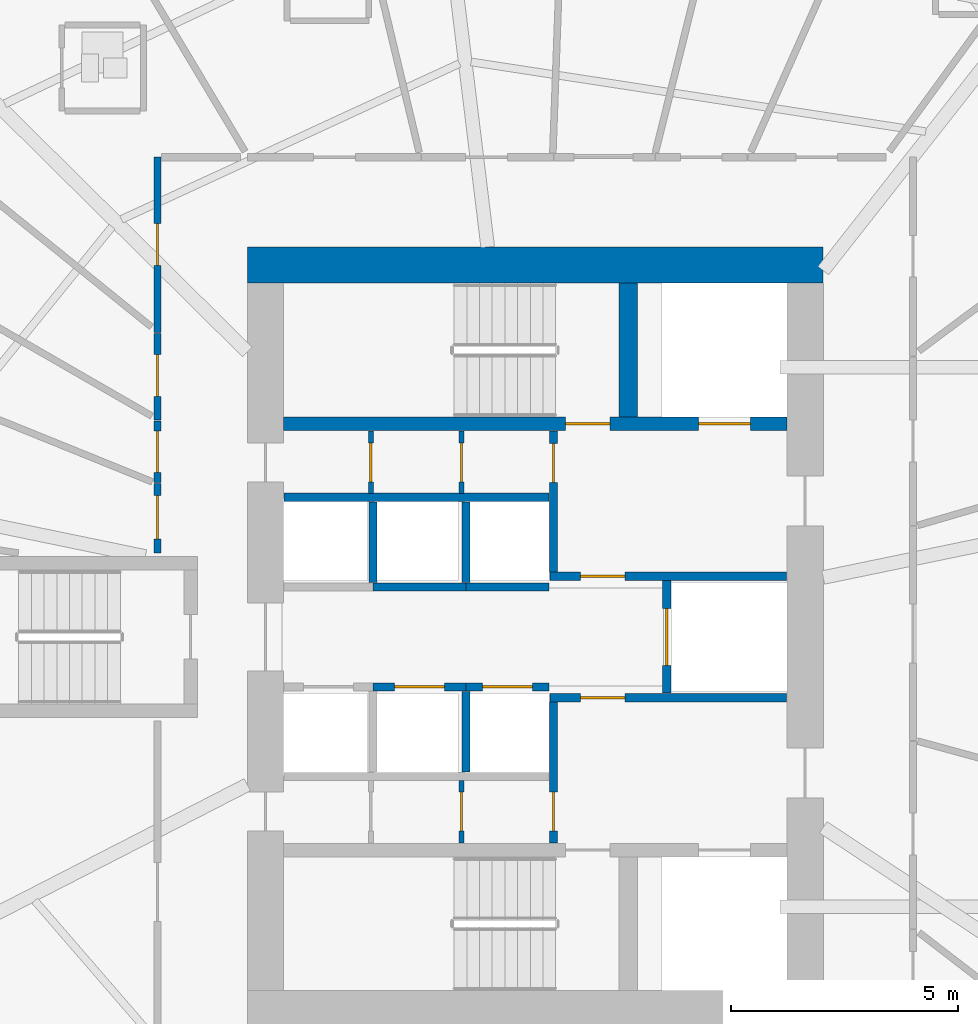
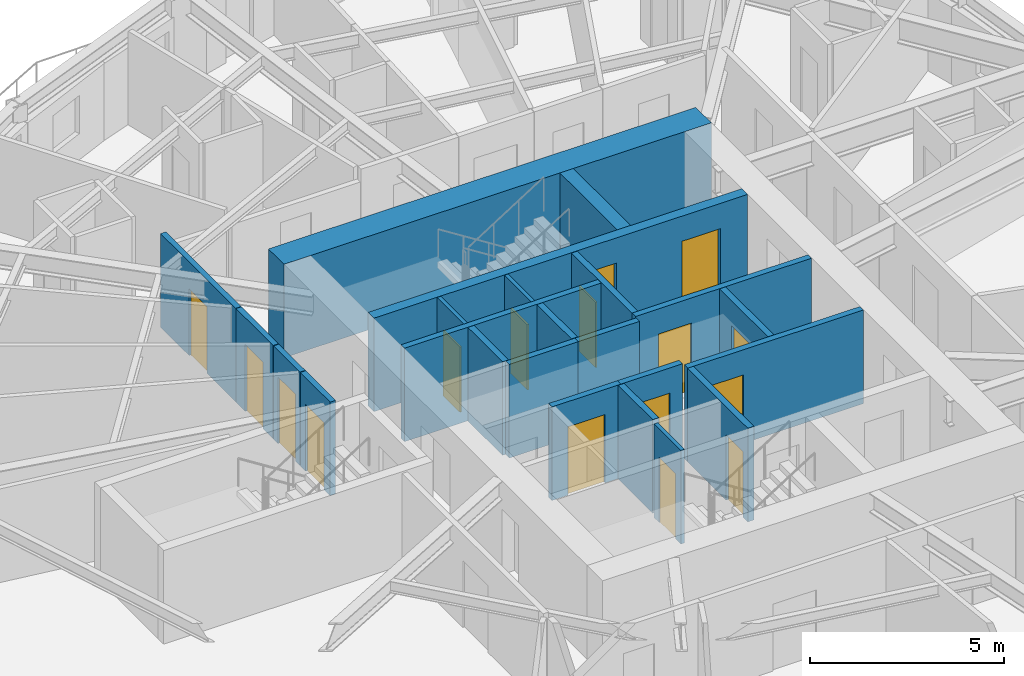
# One storey, part 6 of 16: 23 walls, 16 doors, 16 openings.
"""IFC4 building model written with IfcOpenShell, lengths in metres."""

from ifc_helpers import new_model, si_unit, direction, frame, frame_2d, origin, place, context, subcontext, project, spatial, rectangle, extrude, source, transform, mapped, material, layer, layer_set, type_object, element, fill, save


model = new_model("IFC4")

# Units and contexts
model_context = context("Model", 3, precision=1e-05, world=origin(), true_north=direction((0.0, 1.0)))
body_context = subcontext(model_context, "Body", "Model", "MODEL_VIEW")
ifc_project = project(units=[si_unit("LENGTHUNIT", "METRE"), si_unit("AREAUNIT", "SQUARE_METRE"), si_unit("VOLUMEUNIT", "CUBIC_METRE"), si_unit("PLANEANGLEUNIT", "RADIAN"), si_unit("MASSUNIT", "GRAM", prefix="KILO")], contexts=[model_context])

# Site, building, storey
site_placement = place(None, origin())
site = spatial("IfcSite", under=ifc_project, at=site_placement, CompositionType="ELEMENT")
building_placement = place(site_placement, origin())
building = spatial("IfcBuilding", under=site, at=building_placement, Name="Qafzar Sky-Pleat Residences", CompositionType="ELEMENT")
storey_placement = place(building_placement, frame((0.0, 0.0, 33.39990234375)))
storey = spatial("IfcBuildingStorey", under=building, at=storey_placement, Name="L09", CompositionType="ELEMENT", Elevation=33.39990234375)

# Wall, opening, door
ifc_material_1 = material(Name="Acoustic gypsum plasterboard partition", Category="gypsum")
ifc_layer_1 = layer(ifc_material_1, 0.159912109375)
ifc_layer_set_1 = layer_set([ifc_layer_1], Name="Acoustic gypsum plasterboard partition")
wall_type_1 = type_object("IfcWallType", Name="PART-COR-160", PredefinedType="PARTITIONING", material=ifc_layer_set_1)
wall_1_placement = place(storey_placement, frame((22.02001953125, 32.7099609375, 0.0), z_axis=(0.0, 0.0, 1.0), x_axis=(0.0, 1.0, 0.0)))
wall_1 = element("IfcWall", 1, at=wall_1_placement, inside=storey, type_object=wall_type_1, Name="L09 Partition Wall PART-L09-PW-007", PredefinedType="PARTITIONING", context=body_context, shape_type="SweptSolid", body=[
    extrude(rectangle(XDim=3.8701171875, YDim=0.159912109375, at=frame_2d((1.93505859375, 0.0))), origin(), (0.0, 0.0, 1.0), 2.940185546875),
])
opening_1_placement = place(wall_1_placement, frame((1.484619140625, 0.0, 0.0)))
opening_1 = element("IfcOpeningElement", 2, at=opening_1_placement, cuts=wall_1, Name="Opening ID-04", PredefinedType="OPENING", context=body_context, shape_type="SweptSolid", body=[
    extrude(rectangle(XDim=0.919921875, YDim=2.10009765625, at=frame_2d((0.4599609375, 1.050048828125))), frame((0.0, 0.08984375, 0.0), z_axis=(0.0, -1.0, 0.0), x_axis=(1.0, 0.0, 0.0)), (0.0, 0.0, 1.0), 0.179931640625),
])
ifc_material_2 = material(Name="Timber-faced fire door", Category="wood")
door_type_1 = type_object("IfcDoorType", Name="DR-BED-920", OperationType="NOTDEFINED", PredefinedType="DOOR", material=ifc_material_2)
shared_shape_1 = source(origin(), body_context, "Body", "SweptSolid", [
    extrude(rectangle(XDim=0.919921875, YDim=2.10009765625, at=frame_2d((0.4599609375, 1.050048828125))), frame((0.0, 0.02490234375, 0.0), z_axis=(0.0, -1.0, 0.0), x_axis=(1.0, 0.0, 0.0)), (0.0, 0.0, 1.0), 0.050048828125),
])
door_1_placement = place(opening_1_placement, origin())
door_1 = element("IfcDoor", 3, at=door_1_placement, inside=storey, type_object=door_type_1, Name="L09 Co-Living Bedroom 3 Door", OperationType="SINGLE_SWING_RIGHT", OverallHeight=2.10009765625, OverallWidth=0.919921875, PredefinedType="DOOR", context=body_context, shape_type="MappedRepresentation", body=[
    mapped(shared_shape_1, transform((0.0, 0.0, 0.0), x_axis=(1.0, 0.0, 0.0), y_axis=(0.0, 1.0, 0.0), z_axis=(0.0, 0.0, 1.0), scale=1.0)),
])
fill(opening_1, door_1)

wall_2_placement = place(storey_placement, frame((22.02001953125, 30.781982421875, 0.0), z_axis=(0.0, 0.0, 1.0), x_axis=(0.0, 1.0, 0.0)))
wall_2 = element("IfcWall", 4, at=wall_2_placement, inside=storey, type_object=wall_type_1, Name="L09 Partition Wall PART-L09-PW-019", PredefinedType="PARTITIONING", context=body_context, shape_type="SweptSolid", body=[
    extrude(rectangle(XDim=1.9130859375, YDim=0.159912109375, at=frame_2d((0.95654296875, 0.0))), origin(), (0.0, 0.0, 1.0), 2.940185546875),
])
opening_2_placement = place(wall_2_placement, frame((0.52197265625, 0.0, 0.0)))
opening_2 = element("IfcOpeningElement", 5, at=opening_2_placement, cuts=wall_2, Name="Opening ID-04", PredefinedType="OPENING", context=body_context, shape_type="SweptSolid", body=[
    extrude(rectangle(XDim=0.919921875, YDim=2.10009765625, at=frame_2d((0.4599609375, 1.050048828125))), frame((0.0, 0.08984375, 0.0), z_axis=(0.0, -1.0, 0.0), x_axis=(1.0, 0.0, 0.0)), (0.0, 0.0, 1.0), 0.179931640625),
])
door_2_placement = place(opening_2_placement, origin())
door_2 = element("IfcDoor", 6, at=door_2_placement, inside=storey, type_object=door_type_1, Name="L09 Co-Living Bedroom 5 Door", OperationType="SINGLE_SWING_LEFT", OverallHeight=2.10009765625, OverallWidth=0.919921875, PredefinedType="DOOR", context=body_context, shape_type="MappedRepresentation", body=[
    mapped(shared_shape_1, transform((0.0, 0.0, 0.0), x_axis=(1.0, 0.0, 0.0), y_axis=(0.0, 1.0, 0.0), z_axis=(0.0, 0.0, 1.0), scale=1.0)),
])
fill(opening_2, door_2)

wall_3_placement = place(storey_placement, frame((22.02001953125, 27.85009765625, 0.0), z_axis=(0.0, 0.0, 1.0), x_axis=(0.0, 1.0, 0.0)))
wall_3 = element("IfcWall", 7, at=wall_3_placement, inside=storey, type_object=wall_type_1, Name="L09 Partition Wall PART-L09-PW-031", PredefinedType="PARTITIONING", context=body_context, shape_type="SweptSolid", body=[
    extrude(rectangle(XDim=1.538818359375, YDim=0.159912109375, at=frame_2d((0.76953125, 0.0))), origin(), (0.0, 0.0, 1.0), 2.940185546875),
])
opening_3_placement = place(wall_3_placement, frame((0.31103515625, 0.0, 0.0)))
opening_3 = element("IfcOpeningElement", 8, at=opening_3_placement, cuts=wall_3, Name="Opening ID-06", PredefinedType="OPENING", context=body_context, shape_type="SweptSolid", body=[
    extrude(rectangle(XDim=0.9599609375, YDim=2.10009765625, at=frame_2d((0.47998046875, 1.050048828125))), frame((0.0, 0.08984375, 0.0), z_axis=(0.0, -1.0, 0.0), x_axis=(1.0, 0.0, 0.0)), (0.0, 0.0, 1.0), 0.179931640625),
])
door_type_2 = type_object("IfcDoorType", Name="DR-STD-960", OperationType="NOTDEFINED", PredefinedType="DOOR", material=ifc_material_2)
shared_shape_2 = source(origin(), body_context, "Body", "SweptSolid", [
    extrude(rectangle(XDim=0.9599609375, YDim=2.10009765625, at=frame_2d((0.47998046875, 1.050048828125))), frame((0.0, 0.02490234375, 0.0), z_axis=(0.0, -1.0, 0.0), x_axis=(1.0, 0.0, 0.0)), (0.0, 0.0, 1.0), 0.050048828125),
])
door_3_placement = place(opening_3_placement, origin())
door_3 = element("IfcDoor", 9, at=door_3_placement, inside=storey, type_object=door_type_2, Name="L09 Graduate Lecture Room Door", OperationType="SINGLE_SWING_LEFT", OverallHeight=2.10009765625, OverallWidth=0.9599609375, PredefinedType="DOOR", context=body_context, shape_type="MappedRepresentation", body=[
    mapped(shared_shape_2, transform((0.0, 0.0, 0.0), x_axis=(1.0, 0.0, 0.0), y_axis=(0.0, 1.0, 0.0), z_axis=(0.0, 0.0, 1.0), scale=1.0)),
])
fill(opening_3, door_3)

wall_4_placement = place(storey_placement, frame((22.02001953125, 29.404052734375, 0.0), z_axis=(0.0, 0.0, 1.0), x_axis=(0.0, 1.0, 0.0)))
wall_4 = element("IfcWall", 10, at=wall_4_placement, inside=storey, type_object=wall_type_1, Name="L09 Partition Wall PART-L09-PW-032", PredefinedType="PARTITIONING", context=body_context, shape_type="SweptSolid", body=[
    extrude(rectangle(XDim=1.363037109375, YDim=0.159912109375, at=frame_2d((0.681640625, 0.0))), origin(), (0.0, 0.0, 1.0), 2.940185546875),
])
opening_4_placement = place(wall_4_placement, frame((0.221923828125, 0.0, 0.0)))
opening_4 = element("IfcOpeningElement", 11, at=opening_4_placement, cuts=wall_4, Name="Opening ID-04", PredefinedType="OPENING", context=body_context, shape_type="SweptSolid", body=[
    extrude(rectangle(XDim=0.919921875, YDim=2.10009765625, at=frame_2d((0.4599609375, 1.050048828125))), frame((0.0, 0.08984375, 0.0), z_axis=(0.0, -1.0, 0.0), x_axis=(1.0, 0.0, 0.0)), (0.0, 0.0, 1.0), 0.179931640625),
])
door_4_placement = place(opening_4_placement, origin())
door_4 = element("IfcDoor", 12, at=door_4_placement, inside=storey, type_object=door_type_1, Name="L09 Co-Living Bedroom 4 Door", OperationType="SINGLE_SWING_RIGHT", OverallHeight=2.10009765625, OverallWidth=0.919921875, PredefinedType="DOOR", context=body_context, shape_type="MappedRepresentation", body=[
    mapped(shared_shape_1, transform((0.0, 0.0, 0.0), x_axis=(1.0, 0.0, 0.0), y_axis=(0.0, 1.0, 0.0), z_axis=(0.0, 0.0, 1.0), scale=1.0)),
])
fill(opening_4, door_4)

ifc_material_3 = material(Name="Concrete blockwork partition", Category="masonry")
ifc_layer_2 = layer(ifc_material_3, 0.179931640625)
ifc_layer_set_2 = layer_set([ifc_layer_2], Name="Concrete blockwork partition")
wall_type_2 = type_object("IfcWallType", Name="PART-SHAFT-180", PredefinedType="PARTITIONING", material=ifc_layer_set_2)
wall_5_placement = place(storey_placement, frame((30.75, 21.4599609375, 0.0), z_axis=(0.0, 0.0, 1.0), x_axis=(0.0, 1.0, 0.0)))
wall_5 = element("IfcWall", 13, at=wall_5_placement, inside=storey, type_object=wall_type_2, Name="L09 Partition Wall PART-L09-FFL1-W", PredefinedType="PARTITIONING", context=body_context, shape_type="SweptSolid", body=[
    extrude(rectangle(XDim=3.110107421875, YDim=0.179931640625, at=frame_2d((1.55517578125, 0.0))), origin(), (0.0, 0.0, 1.0), 2.940185546875),
])
opening_5_placement = place(wall_5_placement, frame((0.260009765625, 0.0, 0.0)))
opening_5 = element("IfcOpeningElement", 14, at=opening_5_placement, cuts=wall_5, Name="Opening ID-09", PredefinedType="OPENING", context=body_context, shape_type="SweptSolid", body=[
    extrude(rectangle(XDim=0.860107421875, YDim=2.050048828125, at=frame_2d((0.43017578125, 1.02490234375))), frame((0.0, 0.10009765625, 0.0), z_axis=(0.0, -1.0, 0.0), x_axis=(1.0, 0.0, 0.0)), (0.0, 0.0, 1.0), 0.199951171875),
])
door_type_3 = type_object("IfcDoorType", Name="DR-SVC-860", OperationType="NOTDEFINED", PredefinedType="DOOR", material=ifc_material_2)
shared_shape_3 = source(origin(), body_context, "Body", "SweptSolid", [
    extrude(rectangle(XDim=0.860107421875, YDim=2.050048828125, at=frame_2d((0.43017578125, 1.02490234375))), frame((0.0, 0.02490234375, 0.0), z_axis=(0.0, -1.0, 0.0), x_axis=(1.0, 0.0, 0.0)), (0.0, 0.0, 1.0), 0.050048828125),
])
door_5_placement = place(opening_5_placement, origin())
door_5 = element("IfcDoor", 15, at=door_5_placement, inside=storey, type_object=door_type_3, Name="L09 South Core Cupboard Door", OperationType="SINGLE_SWING_RIGHT", OverallHeight=2.050048828125, OverallWidth=0.860107421875, PredefinedType="DOOR", context=body_context, shape_type="MappedRepresentation", body=[
    mapped(shared_shape_3, transform((0.0, 0.0, 0.0), x_axis=(1.0, 0.0, 0.0), y_axis=(0.0, 1.0, 0.0), z_axis=(0.0, 0.0, 1.0), scale=1.0)),
])
fill(opening_5, door_5)

wall_6_placement = place(storey_placement, frame((30.669921875, 24.659912109375, 0.0), z_axis=(0.0, 0.0, 1.0), x_axis=(1.0, 0.0, 0.0)))
wall_6 = element("IfcWall", 16, at=wall_6_placement, inside=storey, type_object=wall_type_2, Name="L09 Partition Wall PART-L09-FFL1-N", PredefinedType="PARTITIONING", context=body_context, shape_type="SweptSolid", body=[
    extrude(rectangle(XDim=5.219970703125, YDim=0.179931640625, at=frame_2d((2.60986328125, 0.0))), origin(), (0.0, 0.0, 1.0), 2.940185546875),
])
opening_6_placement = place(wall_6_placement, frame((0.679931640625, 0.0, 0.0)))
opening_6 = element("IfcOpeningElement", 17, at=opening_6_placement, cuts=wall_6, Name="Opening ID-01", PredefinedType="OPENING", context=body_context, shape_type="SweptSolid", body=[
    extrude(rectangle(XDim=0.97998046875, YDim=2.14990234375, at=frame_2d((0.489990234375, 1.074951171875))), frame((0.0, 0.10009765625, 0.0), z_axis=(0.0, -1.0, 0.0), x_axis=(1.0, 0.0, 0.0)), (0.0, 0.0, 1.0), 0.199951171875),
])
door_type_4 = type_object("IfcDoorType", Name="DR-STAIR-980", OperationType="NOTDEFINED", PredefinedType="DOOR", material=ifc_material_2)
shared_shape_4 = source(origin(), body_context, "Body", "SweptSolid", [
    extrude(rectangle(XDim=0.97998046875, YDim=2.14990234375, at=frame_2d((0.489990234375, 1.074951171875))), frame((0.0, 0.02490234375, 0.0), z_axis=(0.0, -1.0, 0.0), x_axis=(1.0, 0.0, 0.0)), (0.0, 0.0, 1.0), 0.050048828125),
])
door_6_placement = place(opening_6_placement, origin())
door_6 = element("IfcDoor", 18, at=door_6_placement, inside=storey, type_object=door_type_4, Name="L09 Lift Lobby to South Firefighting Lobby Door", OperationType="SINGLE_SWING_LEFT", OverallHeight=2.14990234375, OverallWidth=0.97998046875, PredefinedType="DOOR", context=body_context, shape_type="MappedRepresentation", body=[
    mapped(shared_shape_4, transform((0.0, 0.0, 0.0), x_axis=(1.0, 0.0, 0.0), y_axis=(0.0, 1.0, 0.0), z_axis=(0.0, 0.0, 1.0), scale=1.0)),
])
fill(opening_6, door_6)

wall_7_placement = place(storey_placement, frame((30.75, 27.429931640625, 0.0), z_axis=(0.0, 0.0, 1.0), x_axis=(0.0, 1.0, 0.0)))
wall_7 = element("IfcWall", 19, at=wall_7_placement, inside=storey, type_object=wall_type_2, Name="L09 Partition Wall PART-L09-FFL2-W", PredefinedType="PARTITIONING", context=body_context, shape_type="SweptSolid", body=[
    extrude(rectangle(XDim=3.110107421875, YDim=0.179931640625, at=frame_2d((1.55517578125, 0.0))), origin(), (0.0, 0.0, 1.0), 2.940185546875),
])
opening_7_placement = place(wall_7_placement, frame((1.97998046875, 0.0, 0.0)))
opening_7 = element("IfcOpeningElement", 20, at=opening_7_placement, cuts=wall_7, Name="Opening ID-09", PredefinedType="OPENING", context=body_context, shape_type="SweptSolid", body=[
    extrude(rectangle(XDim=0.860107421875, YDim=2.050048828125, at=frame_2d((0.43017578125, 1.02490234375))), frame((0.0, 0.10009765625, 0.0), z_axis=(0.0, -1.0, 0.0), x_axis=(1.0, 0.0, 0.0)), (0.0, 0.0, 1.0), 0.199951171875),
])
door_7_placement = place(opening_7_placement, origin())
door_7 = element("IfcDoor", 21, at=door_7_placement, inside=storey, type_object=door_type_3, Name="L09 North Core Cupboard Door", OperationType="SINGLE_SWING_RIGHT", OverallHeight=2.050048828125, OverallWidth=0.860107421875, PredefinedType="DOOR", context=body_context, shape_type="MappedRepresentation", body=[
    mapped(shared_shape_3, transform((0.0, 0.0, 0.0), x_axis=(1.0, 0.0, 0.0), y_axis=(0.0, 1.0, 0.0), z_axis=(0.0, 0.0, 1.0), scale=1.0)),
])
fill(opening_7, door_7)

wall_8_placement = place(storey_placement, frame((30.669921875, 27.340087890625, 0.0), z_axis=(0.0, 0.0, 1.0), x_axis=(1.0, 0.0, 0.0)))
wall_8 = element("IfcWall", 22, at=wall_8_placement, inside=storey, type_object=wall_type_2, Name="L09 Partition Wall PART-L09-FFL2-S", PredefinedType="PARTITIONING", context=body_context, shape_type="SweptSolid", body=[
    extrude(rectangle(XDim=5.219970703125, YDim=0.179931640625, at=frame_2d((2.60986328125, 0.0))), origin(), (0.0, 0.0, 1.0), 2.940185546875),
])
opening_8_placement = place(wall_8_placement, frame((0.679931640625, 0.0, 0.0)))
opening_8 = element("IfcOpeningElement", 23, at=opening_8_placement, cuts=wall_8, Name="Opening ID-01", PredefinedType="OPENING", context=body_context, shape_type="SweptSolid", body=[
    extrude(rectangle(XDim=0.97998046875, YDim=2.14990234375, at=frame_2d((0.489990234375, 1.074951171875))), frame((0.0, 0.10009765625, 0.0), z_axis=(0.0, -1.0, 0.0), x_axis=(1.0, 0.0, 0.0)), (0.0, 0.0, 1.0), 0.199951171875),
])
door_8_placement = place(opening_8_placement, origin())
door_8 = element("IfcDoor", 24, at=door_8_placement, inside=storey, type_object=door_type_4, Name="L09 Lift Lobby to North Firefighting Lobby Door", OperationType="SINGLE_SWING_LEFT", OverallHeight=2.14990234375, OverallWidth=0.97998046875, PredefinedType="DOOR", context=body_context, shape_type="MappedRepresentation", body=[
    mapped(shared_shape_4, transform((0.0, 0.0, 0.0), x_axis=(1.0, 0.0, 0.0), y_axis=(0.0, 1.0, 0.0), z_axis=(0.0, 0.0, 1.0), scale=1.0)),
])
fill(opening_8, door_8)

wall_9_placement = place(storey_placement, frame((33.25, 24.760009765625, 0.0), z_axis=(0.0, 0.0, 1.0), x_axis=(0.0, 1.0, 0.0)))
wall_9 = element("IfcWall", 25, at=wall_9_placement, inside=storey, type_object=wall_type_2, Name="L09 Partition Wall PART-L09-SV1-W", PredefinedType="PARTITIONING", context=body_context, shape_type="SweptSolid", body=[
    extrude(rectangle(XDim=2.47998046875, YDim=0.179931640625, at=frame_2d((1.239990234375, 0.0))), origin(), (0.0, 0.0, 1.0), 2.940185546875),
])
opening_9_placement = place(wall_9_placement, frame((0.614990234375, 0.0, 0.0)))
opening_9 = element("IfcOpeningElement", 26, at=opening_9_placement, cuts=wall_9, Name="Opening LD-03", PredefinedType="OPENING", context=body_context, shape_type="SweptSolid", body=[
    extrude(rectangle(XDim=1.25, YDim=2.14990234375, at=frame_2d((0.625, 1.074951171875))), frame((0.0, 0.10009765625, 0.0), z_axis=(0.0, -1.0, 0.0), x_axis=(1.0, 0.0, 0.0)), (0.0, 0.0, 1.0), 0.199951171875),
])
ifc_material_4 = material(Name="Stainless steel sliding landing door", Category="steel")
door_type_5 = type_object("IfcDoorType", Name="DR-LIFT-SV", OperationType="DOUBLE_DOOR_SLIDING", PredefinedType="DOOR", material=ifc_material_4)
shared_shape_5 = source(origin(), body_context, "Body", "SweptSolid", [
    extrude(rectangle(XDim=1.25, YDim=2.14990234375, at=frame_2d((0.625, 1.074951171875))), frame((0.0, 0.02490234375, 0.0), z_axis=(0.0, -1.0, 0.0), x_axis=(1.0, 0.0, 0.0)), (0.0, 0.0, 1.0), 0.050048828125),
])
door_9_placement = place(opening_9_placement, origin())
door_9 = element("IfcDoor", 27, at=door_9_placement, inside=storey, type_object=door_type_5, Name="L09 Service Lift SV1 Landing Door", OperationType="DOUBLE_DOOR_SLIDING", OverallHeight=2.14990234375, OverallWidth=1.25, PredefinedType="DOOR", context=body_context, shape_type="MappedRepresentation", body=[
    mapped(shared_shape_5, transform((0.0, 0.0, 0.0), x_axis=(1.0, 0.0, 0.0), y_axis=(0.0, 1.0, 0.0), z_axis=(0.0, 0.0, 1.0), scale=1.0)),
])
fill(opening_9, door_9)

wall_10_placement = place(storey_placement, frame((26.77490234375, 24.89990234375, 0.0), z_axis=(0.0, 0.0, 1.0), x_axis=(1.0, 0.0, 0.0)))
wall_10 = element("IfcWall", 28, at=wall_10_placement, inside=storey, type_object=wall_type_2, Name="L09 Partition Wall PART-L09-P2-N", PredefinedType="PARTITIONING", context=body_context, shape_type="SweptSolid", body=[
    extrude(rectangle(XDim=2.050048828125, YDim=0.179931640625, at=frame_2d((1.02490234375, 0.0))), origin(), (0.0, 0.0, 1.0), 2.940185546875),
])
opening_10_placement = place(wall_10_placement, frame((0.47509765625, 0.0, 0.0)))
opening_10 = element("IfcOpeningElement", 29, at=opening_10_placement, cuts=wall_10, Name="Opening LD-01", PredefinedType="OPENING", context=body_context, shape_type="SweptSolid", body=[
    extrude(rectangle(XDim=1.10009765625, YDim=2.14990234375, at=frame_2d((0.550048828125, 1.074951171875))), frame((0.0, 0.10009765625, 0.0), z_axis=(0.0, -1.0, 0.0), x_axis=(1.0, 0.0, 0.0)), (0.0, 0.0, 1.0), 0.199951171875),
])
door_type_6 = type_object("IfcDoorType", Name="DR-LIFT-P", OperationType="DOUBLE_DOOR_SLIDING", PredefinedType="DOOR", material=ifc_material_4)
shared_shape_6 = source(origin(), body_context, "Body", "SweptSolid", [
    extrude(rectangle(XDim=1.10009765625, YDim=2.14990234375, at=frame_2d((0.550048828125, 1.074951171875))), frame((0.0, 0.02490234375, 0.0), z_axis=(0.0, -1.0, 0.0), x_axis=(1.0, 0.0, 0.0)), (0.0, 0.0, 1.0), 0.050048828125),
])
door_10_placement = place(opening_10_placement, origin())
door_10 = element("IfcDoor", 30, at=door_10_placement, inside=storey, type_object=door_type_6, Name="L09 Passenger Lift P2 Landing Door", OperationType="DOUBLE_DOOR_SLIDING", OverallHeight=2.14990234375, OverallWidth=1.10009765625, PredefinedType="DOOR", context=body_context, shape_type="MappedRepresentation", body=[
    mapped(shared_shape_6, transform((0.0, 0.0, 0.0), x_axis=(1.0, 0.0, 0.0), y_axis=(0.0, 1.0, 0.0), z_axis=(0.0, 0.0, 1.0), scale=1.0)),
])
fill(opening_10, door_10)

wall_11_placement = place(storey_placement, frame((28.824951171875, 24.89990234375, 0.0), z_axis=(0.0, 0.0, 1.0), x_axis=(1.0, 0.0, 0.0)))
wall_11 = element("IfcWall", 31, at=wall_11_placement, inside=storey, type_object=wall_type_2, Name="L09 Partition Wall PART-L09-P3-N", PredefinedType="PARTITIONING", context=body_context, shape_type="SweptSolid", body=[
    extrude(rectangle(XDim=1.824951171875, YDim=0.179931640625, at=frame_2d((0.91259765625, 0.0))), origin(), (0.0, 0.0, 1.0), 2.940185546875),
])
opening_11_placement = place(wall_11_placement, frame((0.362548828125, 0.0, 0.0)))
opening_11 = element("IfcOpeningElement", 32, at=opening_11_placement, cuts=wall_11, Name="Opening LD-01", PredefinedType="OPENING", context=body_context, shape_type="SweptSolid", body=[
    extrude(rectangle(XDim=1.10009765625, YDim=2.14990234375, at=frame_2d((0.550048828125, 1.074951171875))), frame((0.0, 0.10009765625, 0.0), z_axis=(0.0, -1.0, 0.0), x_axis=(1.0, 0.0, 0.0)), (0.0, 0.0, 1.0), 0.199951171875),
])
door_11_placement = place(opening_11_placement, origin())
door_11 = element("IfcDoor", 33, at=door_11_placement, inside=storey, type_object=door_type_6, Name="L09 Passenger Lift P3 Landing Door", OperationType="DOUBLE_DOOR_SLIDING", OverallHeight=2.14990234375, OverallWidth=1.10009765625, PredefinedType="DOOR", context=body_context, shape_type="MappedRepresentation", body=[
    mapped(shared_shape_6, transform((0.0, 0.0, 0.0), x_axis=(1.0, 0.0, 0.0), y_axis=(0.0, 1.0, 0.0), z_axis=(0.0, 0.0, 1.0), scale=1.0)),
])
fill(opening_11, door_11)

# Walls
wall_12_placement = place(storey_placement, frame((28.824951171875, 23.02001953125, 0.0), z_axis=(0.0, 0.0, 1.0), x_axis=(0.0, 1.0, 0.0)))
element("IfcWall", 34, at=wall_12_placement, inside=storey, type_object=wall_type_2, Name="L09 Partition Wall PART-L09-P13-DIV-2", PredefinedType="PARTITIONING", context=body_context, shape_type="SweptSolid", body=[
    extrude(rectangle(XDim=1.780029296875, YDim=0.179931640625, at=frame_2d((0.89013671875, 0.0))), origin(), (0.0, 0.0, 1.0), 2.940185546875),
])
wall_13_placement = place(storey_placement, frame((24.81005859375, 29.080078125, 0.0), z_axis=(0.0, 0.0, 1.0), x_axis=(1.0, 0.0, 0.0)))
element("IfcWall", 35, at=wall_13_placement, inside=storey, type_object=wall_type_2, Name="L09 Partition Wall PART-L09-P46-N", PredefinedType="PARTITIONING", context=body_context, shape_type="SweptSolid", body=[
    extrude(rectangle(XDim=5.83984375, YDim=0.179931640625, at=frame_2d((2.919921875, 0.0))), origin(), (0.0, 0.0, 1.0), 2.940185546875),
])
wall_14_placement = place(storey_placement, frame((26.77490234375, 27.10009765625, 0.0), z_axis=(0.0, 0.0, 1.0), x_axis=(1.0, 0.0, 0.0)))
element("IfcWall", 36, at=wall_14_placement, inside=storey, type_object=wall_type_2, Name="L09 Partition Wall PART-L09-P5-S", PredefinedType="PARTITIONING", context=body_context, shape_type="SweptSolid", body=[
    extrude(rectangle(XDim=2.050048828125, YDim=0.179931640625, at=frame_2d((1.02490234375, 0.0))), origin(), (0.0, 0.0, 1.0), 2.940185546875),
])
wall_15_placement = place(storey_placement, frame((26.77490234375, 27.199951171875, 0.0), z_axis=(0.0, 0.0, 1.0), x_axis=(0.0, 1.0, 0.0)))
element("IfcWall", 37, at=wall_15_placement, inside=storey, type_object=wall_type_2, Name="L09 Partition Wall PART-L09-P46-DIV-1", PredefinedType="PARTITIONING", context=body_context, shape_type="SweptSolid", body=[
    extrude(rectangle(XDim=1.780029296875, YDim=0.179931640625, at=frame_2d((0.89013671875, 0.0))), origin(), (0.0, 0.0, 1.0), 2.940185546875),
])
wall_16_placement = place(storey_placement, frame((28.824951171875, 27.10009765625, 0.0), z_axis=(0.0, 0.0, 1.0), x_axis=(1.0, 0.0, 0.0)))
element("IfcWall", 38, at=wall_16_placement, inside=storey, type_object=wall_type_2, Name="L09 Partition Wall PART-L09-P6-S", PredefinedType="PARTITIONING", context=body_context, shape_type="SweptSolid", body=[
    extrude(rectangle(XDim=1.824951171875, YDim=0.179931640625, at=frame_2d((0.91259765625, 0.0))), origin(), (0.0, 0.0, 1.0), 2.940185546875),
])
wall_17_placement = place(storey_placement, frame((28.824951171875, 27.199951171875, 0.0), z_axis=(0.0, 0.0, 1.0), x_axis=(0.0, 1.0, 0.0)))
element("IfcWall", 39, at=wall_17_placement, inside=storey, type_object=wall_type_2, Name="L09 Partition Wall PART-L09-P46-DIV-2", PredefinedType="PARTITIONING", context=body_context, shape_type="SweptSolid", body=[
    extrude(rectangle(XDim=1.780029296875, YDim=0.179931640625, at=frame_2d((0.89013671875, 0.0))), origin(), (0.0, 0.0, 1.0), 2.940185546875),
])

# Wall, opening, door
ifc_material_5 = material(Name="Gypsum plasterboard partition", Category="gypsum")
ifc_layer_3 = layer(ifc_material_5, 0.114990234375)
ifc_layer_set_3 = layer_set([ifc_layer_3], Name="Gypsum plasterboard partition")
wall_type_3 = type_object("IfcWallType", Name="PART-SVC-115", PredefinedType="PARTITIONING", material=ifc_layer_set_3)
wall_18_placement = place(storey_placement, frame((26.72509765625, 29.159912109375, 0.0), z_axis=(0.0, 0.0, 1.0), x_axis=(0.0, 1.0, 0.0)))
wall_18 = element("IfcWall", 40, at=wall_18_placement, inside=storey, type_object=wall_type_3, Name="L09 Partition Wall PART-L09-KC-NW-1", PredefinedType="PARTITIONING", context=body_context, shape_type="SweptSolid", body=[
    extrude(rectangle(XDim=1.380126953125, YDim=0.114990234375, at=frame_2d((0.68994140625, 0.0))), origin(), (0.0, 0.0, 1.0), 2.940185546875),
])
opening_12_placement = place(wall_18_placement, frame((0.260009765625, 0.0, 0.0)))
opening_12 = element("IfcOpeningElement", 41, at=opening_12_placement, cuts=wall_18, Name="Opening ID-09", PredefinedType="OPENING", context=body_context, shape_type="SweptSolid", body=[
    extrude(rectangle(XDim=0.860107421875, YDim=2.050048828125, at=frame_2d((0.43017578125, 1.02490234375))), frame((0.0, 0.0673828125, 0.0), z_axis=(0.0, -1.0, 0.0), x_axis=(1.0, 0.0, 0.0)), (0.0, 0.0, 1.0), 0.135009765625),
])
door_12_placement = place(opening_12_placement, origin())
door_12 = element("IfcDoor", 42, at=door_12_placement, inside=storey, type_object=door_type_3, Name="L09 Core North Cupboard 1 Door", OperationType="SINGLE_SWING_LEFT", OverallHeight=2.050048828125, OverallWidth=0.860107421875, PredefinedType="DOOR", context=body_context, shape_type="MappedRepresentation", body=[
    mapped(shared_shape_3, transform((0.0, 0.0, 0.0), x_axis=(1.0, 0.0, 0.0), y_axis=(0.0, 1.0, 0.0), z_axis=(0.0, 0.0, 1.0), scale=1.0)),
])
fill(opening_12, door_12)

wall_19_placement = place(storey_placement, frame((28.72509765625, 21.4599609375, 0.0), z_axis=(0.0, 0.0, 1.0), x_axis=(0.0, 1.0, 0.0)))
wall_19 = element("IfcWall", 43, at=wall_19_placement, inside=storey, type_object=wall_type_3, Name="L09 Partition Wall PART-L09-KC-SW-2", PredefinedType="PARTITIONING", context=body_context, shape_type="SweptSolid", body=[
    extrude(rectangle(XDim=1.380126953125, YDim=0.114990234375, at=frame_2d((0.68994140625, 0.0))), origin(), (0.0, 0.0, 1.0), 2.940185546875),
])
opening_13_placement = place(wall_19_placement, frame((0.260009765625, 0.0, 0.0)))
opening_13 = element("IfcOpeningElement", 44, at=opening_13_placement, cuts=wall_19, Name="Opening ID-09", PredefinedType="OPENING", context=body_context, shape_type="SweptSolid", body=[
    extrude(rectangle(XDim=0.860107421875, YDim=2.050048828125, at=frame_2d((0.43017578125, 1.02490234375))), frame((0.0, 0.0673828125, 0.0), z_axis=(0.0, -1.0, 0.0), x_axis=(1.0, 0.0, 0.0)), (0.0, 0.0, 1.0), 0.135009765625),
])
door_13_placement = place(opening_13_placement, origin())
door_13 = element("IfcDoor", 45, at=door_13_placement, inside=storey, type_object=door_type_3, Name="L09 Core South Cupboard 2 Door", OperationType="SINGLE_SWING_RIGHT", OverallHeight=2.050048828125, OverallWidth=0.860107421875, PredefinedType="DOOR", context=body_context, shape_type="MappedRepresentation", body=[
    mapped(shared_shape_3, transform((0.0, 0.0, 0.0), x_axis=(1.0, 0.0, 0.0), y_axis=(0.0, 1.0, 0.0), z_axis=(0.0, 0.0, 1.0), scale=1.0)),
])
fill(opening_13, door_13)

wall_20_placement = place(storey_placement, frame((28.72509765625, 29.159912109375, 0.0), z_axis=(0.0, 0.0, 1.0), x_axis=(0.0, 1.0, 0.0)))
wall_20 = element("IfcWall", 46, at=wall_20_placement, inside=storey, type_object=wall_type_3, Name="L09 Partition Wall PART-L09-KC-NW-2", PredefinedType="PARTITIONING", context=body_context, shape_type="SweptSolid", body=[
    extrude(rectangle(XDim=1.380126953125, YDim=0.114990234375, at=frame_2d((0.68994140625, 0.0))), origin(), (0.0, 0.0, 1.0), 2.940185546875),
])
opening_14_placement = place(wall_20_placement, frame((0.260009765625, 0.0, 0.0)))
opening_14 = element("IfcOpeningElement", 47, at=opening_14_placement, cuts=wall_20, Name="Opening ID-09", PredefinedType="OPENING", context=body_context, shape_type="SweptSolid", body=[
    extrude(rectangle(XDim=0.860107421875, YDim=2.050048828125, at=frame_2d((0.43017578125, 1.02490234375))), frame((0.0, 0.0673828125, 0.0), z_axis=(0.0, -1.0, 0.0), x_axis=(1.0, 0.0, 0.0)), (0.0, 0.0, 1.0), 0.135009765625),
])
door_14_placement = place(opening_14_placement, origin())
door_14 = element("IfcDoor", 48, at=door_14_placement, inside=storey, type_object=door_type_3, Name="L09 Core North Cupboard 2 Door", OperationType="SINGLE_SWING_LEFT", OverallHeight=2.050048828125, OverallWidth=0.860107421875, PredefinedType="DOOR", context=body_context, shape_type="MappedRepresentation", body=[
    mapped(shared_shape_3, transform((0.0, 0.0, 0.0), x_axis=(1.0, 0.0, 0.0), y_axis=(0.0, 1.0, 0.0), z_axis=(0.0, 0.0, 1.0), scale=1.0)),
])
fill(opening_14, door_14)

# Wall, openings, doors
ifc_material_6 = material(Name="Concrete C60/75", Category="concrete")
ifc_layer_4 = layer(ifc_material_6, 0.300048828125)
ifc_layer_set_4 = layer_set([ifc_layer_4], Name="Concrete C60/75")
wall_type_4 = type_object("IfcWallType", Name="WALL-SHEAR-300", PredefinedType="SHEAR", material=ifc_layer_set_4)
wall_21_placement = place(storey_placement, frame((24.800048828125, 30.699951171875, 0.0), z_axis=(0.0, 0.0, 1.0), x_axis=(1.0, 0.0, 0.0)))
wall_21 = element("IfcWall", 49, at=wall_21_placement, inside=storey, type_object=wall_type_4, Name="L09 Stair ST2 and FF2 Shaft South Wall", PredefinedType="SHEAR", context=body_context, shape_type="SweptSolid", body=[
    extrude(rectangle(XDim=11.099853515625, YDim=0.300048828125, at=frame_2d((5.5498046875, 0.0))), origin(), (0.0, 0.0, 1.0), 2.940185546875),
])
opening_15_placement = place(wall_21_placement, frame((6.219970703125, 0.0, 0.0)))
opening_15 = element("IfcOpeningElement", 50, at=opening_15_placement, cuts=wall_21, Name="Opening ID-01", PredefinedType="OPENING", context=body_context, shape_type="SweptSolid", body=[
    extrude(rectangle(XDim=0.97998046875, YDim=2.14990234375, at=frame_2d((0.489990234375, 1.074951171875))), frame((0.0, 0.16015625, 0.0), z_axis=(0.0, -1.0, 0.0), x_axis=(1.0, 0.0, 0.0)), (0.0, 0.0, 1.0), 0.320068359375),
])
opening_16_placement = place(wall_21_placement, frame((9.14990234375, 0.0, 0.0)))
opening_16 = element("IfcOpeningElement", 51, at=opening_16_placement, cuts=wall_21, Name="Opening LD-02", PredefinedType="OPENING", context=body_context, shape_type="SweptSolid", body=[
    extrude(rectangle(XDim=1.14990234375, YDim=2.14990234375, at=frame_2d((0.574951171875, 1.074951171875))), frame((0.0, 0.16015625, 0.0), z_axis=(0.0, -1.0, 0.0), x_axis=(1.0, 0.0, 0.0)), (0.0, 0.0, 1.0), 0.320068359375),
])
door_15_placement = place(opening_15_placement, origin())
door_15 = element("IfcDoor", 52, at=door_15_placement, inside=storey, type_object=door_type_4, Name="L09 Stair ST2 Fire Door", OperationType="SINGLE_SWING_RIGHT", OverallHeight=2.14990234375, OverallWidth=0.97998046875, PredefinedType="DOOR", context=body_context, shape_type="MappedRepresentation", body=[
    mapped(shared_shape_4, transform((0.0, 0.0, 0.0), x_axis=(1.0, 0.0, 0.0), y_axis=(0.0, 1.0, 0.0), z_axis=(0.0, 0.0, 1.0), scale=1.0)),
])
fill(opening_15, door_15)
door_type_7 = type_object("IfcDoorType", Name="DR-LIFT-FF", OperationType="DOUBLE_DOOR_SLIDING", PredefinedType="DOOR", material=ifc_material_4)
shared_shape_7 = source(origin(), body_context, "Body", "SweptSolid", [
    extrude(rectangle(XDim=1.14990234375, YDim=2.14990234375, at=frame_2d((0.574951171875, 1.074951171875))), frame((0.0, 0.02490234375, 0.0), z_axis=(0.0, -1.0, 0.0), x_axis=(1.0, 0.0, 0.0)), (0.0, 0.0, 1.0), 0.050048828125),
])
door_16_placement = place(opening_16_placement, origin())
door_16 = element("IfcDoor", 53, at=door_16_placement, inside=storey, type_object=door_type_7, Name="L09 Firefighting Lift FF2 Landing Door", OperationType="DOUBLE_DOOR_SLIDING", OverallHeight=2.14990234375, OverallWidth=1.14990234375, PredefinedType="DOOR", context=body_context, shape_type="MappedRepresentation", body=[
    mapped(shared_shape_7, transform((0.0, 0.0, 0.0), x_axis=(1.0, 0.0, 0.0), y_axis=(0.0, 1.0, 0.0), z_axis=(0.0, 0.0, 1.0), scale=1.0)),
])
fill(opening_16, door_16)

# Walls
ifc_layer_5 = layer(ifc_material_6, 0.39990234375)
ifc_layer_set_5 = layer_set([ifc_layer_5], Name="Concrete C60/75")
wall_type_5 = type_object("IfcWallType", Name="WALL-SHEAR-400", PredefinedType="SHEAR", material=ifc_layer_set_5)
wall_22_placement = place(storey_placement, frame((32.39990234375, 30.85009765625, 0.0), z_axis=(0.0, 0.0, 1.0), x_axis=(0.0, 1.0, 0.0)))
element("IfcWall", 54, at=wall_22_placement, inside=storey, type_object=wall_type_5, Name="L09 Stair ST2 East Dividing Wall", PredefinedType="SHEAR", context=body_context, shape_type="SweptSolid", body=[
    extrude(rectangle(XDim=2.949951171875, YDim=0.39990234375, at=frame_2d((1.47509765625, 0.0))), origin(), (0.0, 0.0, 1.0), 2.940185546875),
])
ifc_layer_6 = layer(ifc_material_6, 0.800048828125)
ifc_layer_set_6 = layer_set([ifc_layer_6], Name="Concrete C60/75")
wall_type_6 = type_object("IfcWallType", Name="WALL-SHEAR-800", PredefinedType="SHEAR", material=ifc_layer_set_6)
wall_23_placement = place(storey_placement, frame((36.699951171875, 34.199951171875, 0.0), z_axis=(0.0, 0.0, 1.0), x_axis=(-1.0, 0.0, 0.0)))
element("IfcWall", 55, at=wall_23_placement, inside=storey, type_object=wall_type_6, Name="L09 CORE wall N", PredefinedType="SHEAR", context=body_context, shape_type="SweptSolid", body=[
    extrude(rectangle(XDim=12.699951171875, YDim=0.800048828125, at=frame_2d((6.35009765625, 0.0))), origin(), (0.0, 0.0, 1.0), 2.940185546875),
])

save(model, "model.ifc")
